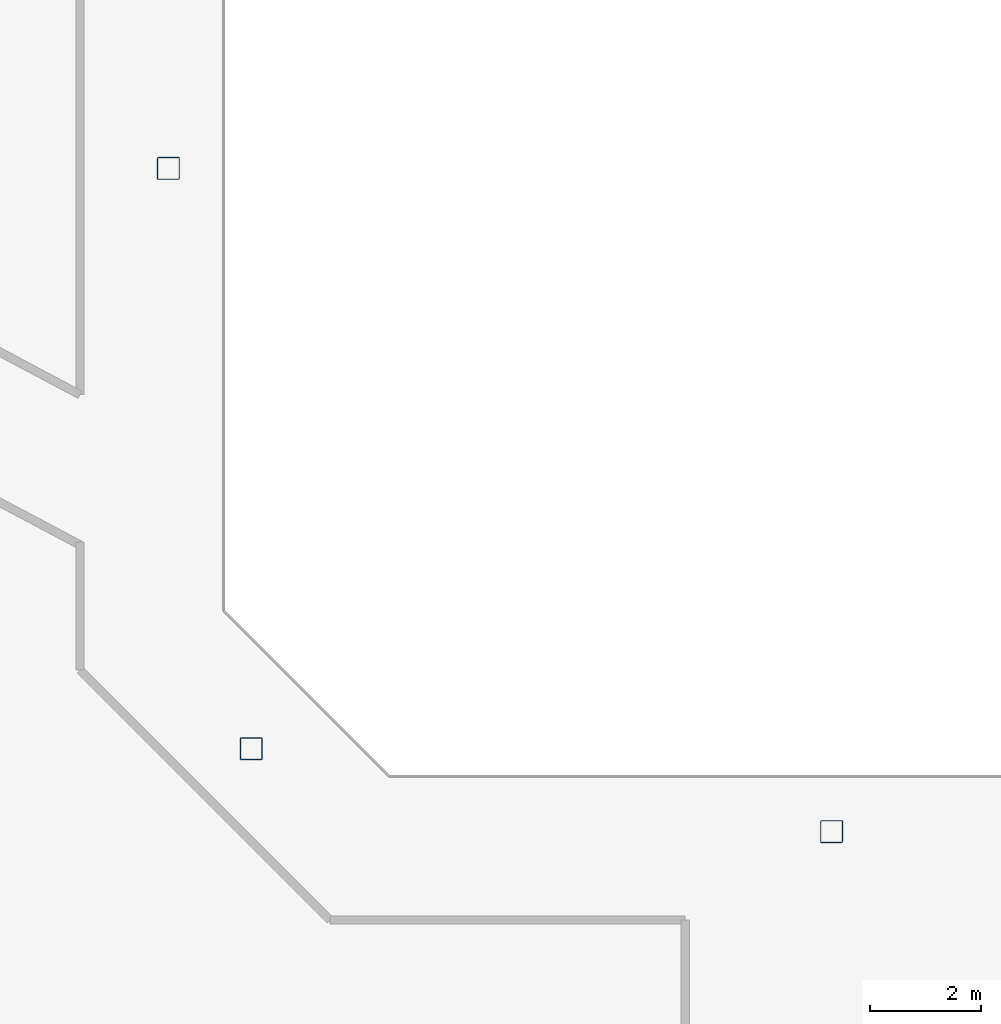
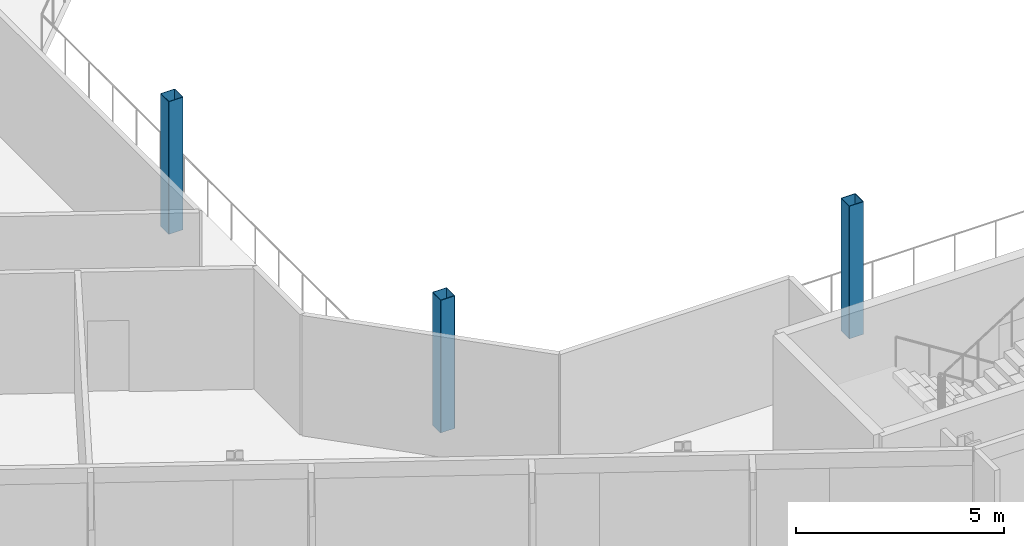
# One storey, part 2 of 26: 3 columns.
"""IFC4 building model written with IfcOpenShell, lengths in metres."""

from ifc_helpers import new_model, si_unit, direction, frame, origin, origin_2d, place, context, subcontext, project, spatial, hollow_rectangle, extrude, material, material_profile, profile_set, type_object, element, save


model = new_model("IFC4")

# Units and contexts
model_context = context("Model", 3, precision=1e-05, world=origin(), true_north=direction((0.0, 1.0)))
body_context = subcontext(model_context, "Body", "Model", "MODEL_VIEW")
ifc_project = project(units=[si_unit("LENGTHUNIT", "METRE"), si_unit("AREAUNIT", "SQUARE_METRE"), si_unit("VOLUMEUNIT", "CUBIC_METRE"), si_unit("PLANEANGLEUNIT", "RADIAN"), si_unit("MASSUNIT", "GRAM", prefix="KILO")], contexts=[model_context])

# Site, building, storey
site_placement = place(None, origin())
site = spatial("IfcSite", under=ifc_project, at=site_placement, CompositionType="ELEMENT")
building_placement = place(site_placement, origin())
building = spatial("IfcBuilding", under=site, at=building_placement, Name="Cormorant Relay Tower", CompositionType="ELEMENT")
storey_placement = place(building_placement, frame((0.0, 0.0, 244.199951171875)))
storey = spatial("IfcBuildingStorey", under=building, at=storey_placement, Name="L54", CompositionType="ELEMENT", Elevation=244.199951171875)

# Columns
ifc_material = material(Name="Steel ASTM A500 Grade C (Fy 345 MPa)", Category="steel")
ifc_material_profile = material_profile(ifc_material, hollow_rectangle(XDim=0.406494140625, YDim=0.406494140625, WallThickness=0.0146484375, InnerFilletRadius=0.00732421875, OuterFilletRadius=0.022216796875, at=origin_2d()), Name="HSS406x406x15")
ifc_profile_set = profile_set([ifc_material_profile], Name="Steel ASTM A500 Grade C (Fy 345 MPa)")
column_type = type_object("IfcColumnType", Name="Column HSS406x406x15", PredefinedType="COLUMN", material=ifc_profile_set)
for number, where, z_axis, x_axis, name in (
    (1, (0.0, -12.0, 0.0), (0.0, 0.0, 1.0), (1.0, 0.0, 0.0), "Column L54-007"),
    (2, (-10.5, -10.5, 0.0), (0.0, 0.0, 1.0), (1.0, 0.0, 0.0), "Column L54-009"),
    (3, (-12.0, 0.0, 0.0), (0.0, 0.0, 1.0), (1.0, 0.0, 0.0), "Column L54-015"),
):
    element("IfcColumn", number, at=place(storey_placement, frame(where, z_axis=z_axis, x_axis=x_axis)), inside=storey, type_object=column_type, Name=name, PredefinedType="COLUMN", context=body_context, shape_type="SweptSolid", body=[
        extrude(hollow_rectangle(XDim=0.406494140625, YDim=0.406494140625, WallThickness=0.0146484375, InnerFilletRadius=0.00732421875, OuterFilletRadius=0.022216796875, at=origin_2d()), origin(), (0.0, 0.0, 1.0), 3.900146484375),
    ])

save(model, "model.ifc")
